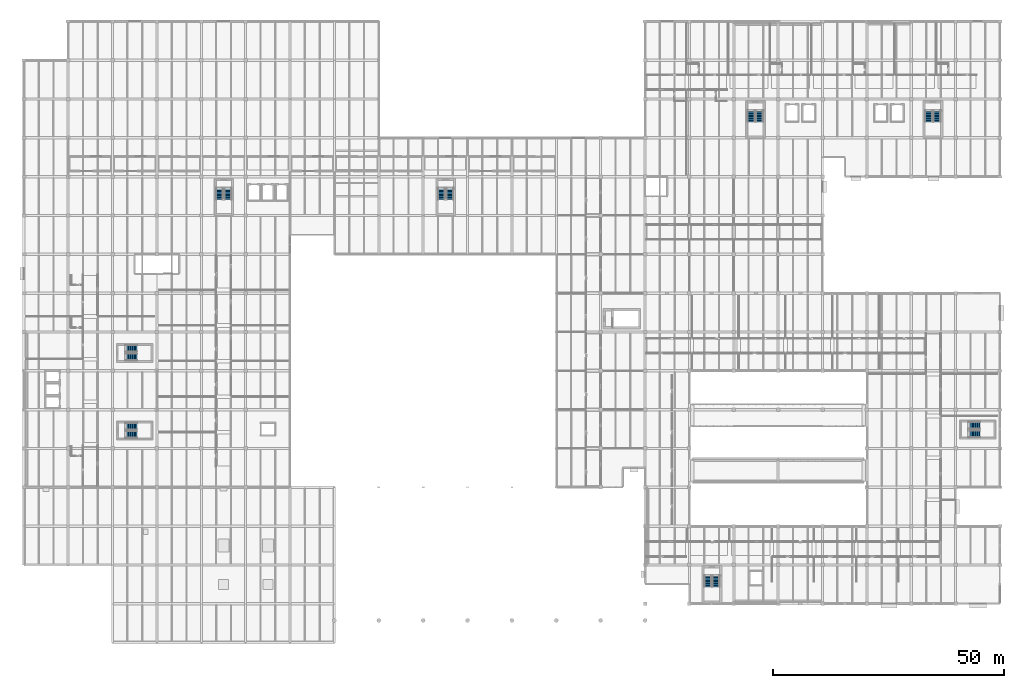
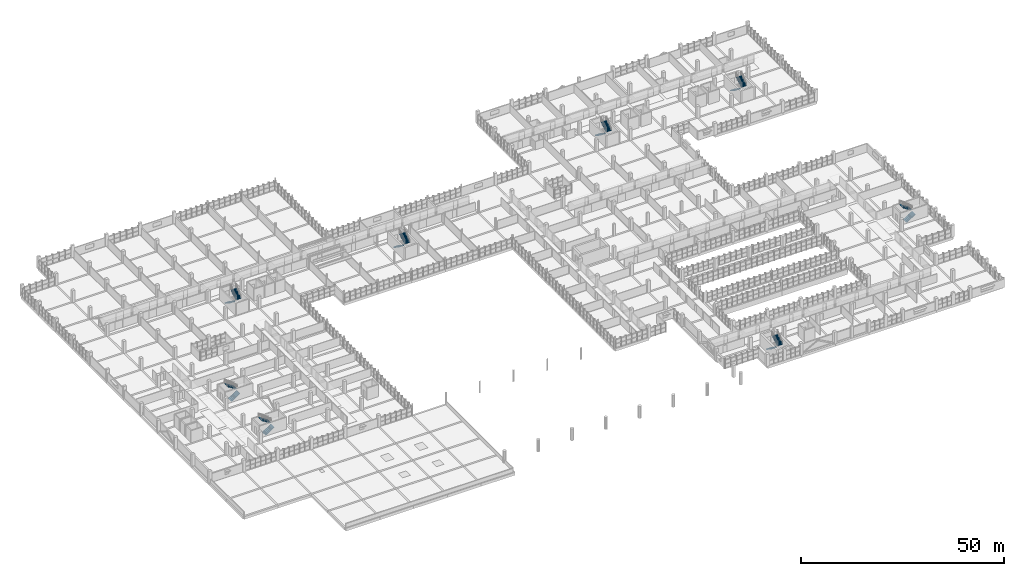
# One storey, part 134 of 147: 16 stair flights, 8 elements without a shape of their own.
"""IFC4 building model written with IfcOpenShell, lengths in metres."""

import ifcopenshell
import ifcopenshell.guid

model = None  # the IFC model being written
_history = None  # IfcOwnerHistory: only IFC2X3 demands one
_inside = {}  # id of a spatial element -> (the spatial element, [elements in it])
_under = {}  # id of a project, library or spatial element -> (it, [spatial elements below it])
_declared = {}  # id of a project -> (the project, [libraries it declares])
_typed = {}  # id of a type object -> (the type object, [elements of that type])
_made_of = {}  # id of a material, layer set ... -> (it, [elements and type objects made of it])


def new_model(schema):
    """Start an empty IFC model of exactly this schema.

    Asked for "IFC4X3", IfcOpenShell would pick the latest addendum, in which some entities
    have other attributes; the version numbers below select the first issue.
    IFC2X3 requires an IfcOwnerHistory on every rooted entity: one is made here for all.
    """
    global model, _history
    if schema == "IFC4X3":
        model = ifcopenshell.file(schema_version=(4, 3, 0, 0))
    else:
        model = ifcopenshell.file(schema=schema)
    _inside.clear()
    _under.clear()
    _declared.clear()
    _typed.clear()
    _made_of.clear()
    _history = None
    if model.schema == "IFC2X3":
        org = make("IfcOrganization", Name="unknown")
        user = make(
            "IfcPersonAndOrganization",
            ThePerson=make("IfcPerson", FamilyName="unknown"),
            TheOrganization=org,
        )
        app = make(
            "IfcApplication",
            ApplicationDeveloper=org,
            Version="unknown",
            ApplicationFullName="unknown",
            ApplicationIdentifier="unknown",
        )
        _history = make(
            "IfcOwnerHistory",
            OwningUser=user,
            OwningApplication=app,
            ChangeAction="ADDED",
            CreationDate=0,
        )
    return model


def make(cls, **values):
    """One entity of the class cls with the attributes given. An attribute that is None is left unset."""
    return model.create_entity(
        cls, **{name: value for name, value in values.items() if value is not None}
    )


def rooted(cls, **values):
    """An entity with a GlobalId (a new one), such as an element, a storey or a relation."""
    return make(cls, GlobalId=ifcopenshell.guid.new(), OwnerHistory=_history, **values)


def si_unit(unit_type, name, prefix=None):
    """IfcSIUnit, for example si_unit("LENGTHUNIT", "METRE", prefix="MILLI")."""
    return make("IfcSIUnit", UnitType=unit_type, Prefix=prefix, Name=name)


def assignment(units):
    """IfcUnitAssignment: the units of a project."""
    return None if units is None else make("IfcUnitAssignment", Units=units)


def point(xyz):
    """IfcCartesianPoint."""
    return None if xyz is None else make("IfcCartesianPoint", Coordinates=xyz)


def direction(xyz):
    """IfcDirection."""
    return None if xyz is None else make("IfcDirection", DirectionRatios=xyz)


def frame(location, z_axis=None, x_axis=None):
    """IfcAxis2Placement3D, a coordinate frame: its origin and axes. An axis left out is left unset."""
    return make(
        "IfcAxis2Placement3D",
        Location=point(location),
        Axis=direction(z_axis),
        RefDirection=direction(x_axis),
    )


def origin():
    """The frame at (0, 0, 0) with its axes left unset."""
    return frame((0.0, 0.0, 0.0))


def place(relative_to, where):
    """IfcLocalPlacement: puts the frame where relative to a parent placement (None: the world)."""
    return make(
        "IfcLocalPlacement", PlacementRelTo=relative_to, RelativePlacement=where
    )


def context(
    kind, dimensions, precision=None, world=None, true_north=None, identifier=None
):
    """IfcGeometricRepresentationContext, for example the 3D "Model" context."""
    return make(
        "IfcGeometricRepresentationContext",
        ContextIdentifier=identifier,
        ContextType=kind,
        CoordinateSpaceDimension=dimensions,
        Precision=precision,
        WorldCoordinateSystem=world,
        TrueNorth=true_north,
    )


def subcontext(parent, identifier, kind, view, scale=None):
    """IfcGeometricRepresentationSubContext, for example "Body" below "Model"."""
    return make(
        "IfcGeometricRepresentationSubContext",
        ContextIdentifier=identifier,
        ContextType=kind,
        ParentContext=parent,
        TargetScale=scale,
        TargetView=view,
    )


def project(units=None, contexts=None):
    """IfcProject with its units and contexts."""
    return rooted(
        "IfcProject",
        Name="project",
        RepresentationContexts=contexts,
        UnitsInContext=assignment(units),
    )


def spatial(cls, under=None, at=None, **own):
    """A site, building, storey or space (cls), placed at a placement, below another one or the project."""
    s = rooted(cls, ObjectPlacement=at, **own)
    if under is not None:
        _under.setdefault(under.id(), (under, []))[1].append(s)
    return s


def polyline(points):
    """IfcPolyline through the points."""
    return make("IfcPolyline", Points=[point(p) for p in points])


def outline(outer, holes=None, kind="AREA"):
    """IfcArbitraryClosedProfileDef: a profile drawn as a closed curve; with holes, ...WithVoids."""
    if holes is None:
        return make("IfcArbitraryClosedProfileDef", ProfileType=kind, OuterCurve=outer)
    return make(
        "IfcArbitraryProfileDefWithVoids",
        ProfileType=kind,
        OuterCurve=outer,
        InnerCurves=holes,
    )


def extrude(swept, where, along, depth):
    """IfcExtrudedAreaSolid: the profile swept, set in the frame where, extruded along a direction by depth."""
    return make(
        "IfcExtrudedAreaSolid",
        SweptArea=swept,
        Position=where,
        ExtrudedDirection=direction(along),
        Depth=depth,
    )


def shape(context_of_items, identifier, shape_type, items):
    """IfcShapeRepresentation: the items that make up one representation, for example the "Body"."""
    return make(
        "IfcShapeRepresentation",
        ContextOfItems=context_of_items,
        RepresentationIdentifier=identifier,
        RepresentationType=shape_type,
        Items=items,
    )


def material(Name=None, Category=None):
    """IfcMaterial."""
    return make("IfcMaterial", Name=Name, Category=Category)


def made_of(thing, what):
    """Note that an element or type object is made of a material, layer set ...; save() writes the relation."""
    if what is not None:
        _made_of.setdefault(what.id(), (what, []))[1].append(thing)
    return thing


def type_object(cls, material=None, **own):
    """A type object (cls), such as IfcWallType, which elements share."""
    return made_of(rooted(cls, **own), material)


def element(
    cls,
    number,
    at=None,
    inside=None,
    cuts=None,
    type_object=None,
    material=None,
    context=None,
    identifier="Body",
    shape_type=None,
    held_by="IfcProductDefinitionShape",
    body=None,
    shapes=None,
    **own,
):
    """One element of the class cls, such as IfcWall. Its Tag is "e" and its number.

    at: its placement. inside: the storey or other place that contains it. cuts: it is an
    opening in that element (IfcRelVoidsElement). A single representation is given by context,
    identifier, shape_type and body (its items); several are given by shapes. held_by: the class
    of the entity that holds the representations. save() writes the other relations.
    """
    e = rooted(cls, Tag="e%d" % number, ObjectPlacement=at, **own)
    if body is not None:
        shapes = [shape(context, identifier, shape_type, body)]
    if shapes is not None:
        e.Representation = make(held_by, Representations=shapes)
    if inside is not None:
        _inside.setdefault(inside.id(), (inside, []))[1].append(e)
    if cuts is not None:
        rooted(
            "IfcRelVoidsElement", RelatingBuildingElement=cuts, RelatedOpeningElement=e
        )
    if type_object is not None:
        _typed.setdefault(type_object.id(), (type_object, []))[1].append(e)
    return made_of(e, material)


def aggregate(whole, parts):
    """IfcRelAggregates: a whole, such as a stair, and the parts it consists of."""
    return rooted("IfcRelAggregates", RelatingObject=whole, RelatedObjects=parts)


def save(model, path):
    """Write the relations noted so far, then the file.

    IfcRelAggregates (storeys below a building ...), IfcRelContainedInSpatialStructure (elements
    in a storey), IfcRelDefinesByType, IfcRelAssociatesMaterial and IfcRelDeclares: one each for
    every whole, place, type object, material and project.
    """
    for whole, parts in _under.values():
        aggregate(whole, parts)
    for where, things in _inside.values():
        rooted(
            "IfcRelContainedInSpatialStructure",
            RelatedElements=things,
            RelatingStructure=where,
        )
    for kind, things in _typed.values():
        rooted("IfcRelDefinesByType", RelatedObjects=things, RelatingType=kind)
    for what, things in _made_of.values():
        rooted("IfcRelAssociatesMaterial", RelatedObjects=things, RelatingMaterial=what)
    for by, libraries in _declared.values():
        rooted("IfcRelDeclares", RelatingContext=by, RelatedDefinitions=libraries)
    model.write(path)


model = new_model("IFC4")

# Units and contexts
model_context = context("Model", 3, precision=1e-05, world=origin(), true_north=direction((0.0, 1.0)))
body_context = subcontext(model_context, "Body", "Model", "MODEL_VIEW")
ifc_project = project(units=[si_unit("LENGTHUNIT", "METRE"), si_unit("AREAUNIT", "SQUARE_METRE"), si_unit("VOLUMEUNIT", "CUBIC_METRE"), si_unit("PLANEANGLEUNIT", "RADIAN"), si_unit("MASSUNIT", "GRAM", prefix="KILO")], contexts=[model_context])

# Site, building, storey
site_placement = place(None, origin())
site = spatial("IfcSite", under=ifc_project, at=site_placement, CompositionType="ELEMENT")
building_placement = place(site_placement, origin())
building = spatial("IfcBuilding", under=site, at=building_placement, Name="Oolite Switchyard Hospital", CompositionType="ELEMENT")
storey_placement = place(building_placement, frame((0.0, 0.0, 9.89990234375)))
storey = spatial("IfcBuildingStorey", under=building, at=storey_placement, Name="L02", CompositionType="ELEMENT", Elevation=9.89990234375)

# Stair, stair flights
ifc_material = material(Name="Concrete C40/50", Category="concrete")
stair_type = type_object("IfcStairType", Name="STR-DL-156-R20", PredefinedType="HALF_TURN_STAIR", material=ifc_material)
stair_1_placement = place(storey_placement, origin())
stair_1 = element("IfcStair", 1, at=stair_1_placement, inside=storey, type_object=stair_type, Name="L02 Exit Stair ST-01", PredefinedType="HALF_TURN_STAIR")
stair_flight_type = type_object("IfcStairFlightType", Name="FLT-DL-156-R10", PredefinedType="STRAIGHT", material=ifc_material)
stair_flight_1_placement = place(storey_placement, frame((21.9599609375, 44.97998046875, 0.0), z_axis=(0.0, 0.0, 1.0), x_axis=(1.0, 0.0, 0.0)))
stair_flight_1 = element("IfcStairFlight", 2, at=stair_flight_1_placement, type_object=stair_flight_type, Name="ST-01 flight 1", NumberOfRisers=10, NumberOfTreads=9, PredefinedType="STRAIGHT", RiserHeight=0.18, TreadLength=0.28, context=body_context, shape_type="SweptSolid", body=[
    extrude(outline(polyline([(0.0, 0.0), (0.0, 0.179931640625), (0.280029296875, 0.179931640625), (0.280029296875, 0.360107421875), (0.56005859375, 0.360107421875), (0.56005859375, 0.5400390625), (0.840087890625, 0.5400390625), (0.840087890625, 0.719970703125), (1.1201171875, 0.719970703125), (1.1201171875, 0.89990234375), (1.39990234375, 0.89990234375), (1.39990234375, 1.080078125), (1.679931640625, 1.080078125), (1.679931640625, 1.260009765625), (1.9599609375, 1.260009765625), (1.9599609375, 1.43994140625), (2.239990234375, 1.43994140625), (2.239990234375, 1.6201171875), (2.52001953125, 1.6201171875), (2.52001953125, 1.800048828125), (2.52001953125, 1.44189453125), (0.277099609375, 0.0), (0.0, 0.0)])), frame((0.0, 0.780029296875, 0.0), z_axis=(0.0, -1.0, 0.0), x_axis=(1.0, 0.0, 0.0)), (0.0, 0.0, 1.0), 1.56005859375),
])
stair_flight_2_placement = place(storey_placement, frame((24.47998046875, 46.780029296875, 1.800048828125), z_axis=(0.0, 0.0, 1.0), x_axis=(-1.0, 0.0, 0.0)))
stair_flight_2 = element("IfcStairFlight", 3, at=stair_flight_2_placement, type_object=stair_flight_type, Name="ST-01 flight 2", NumberOfRisers=10, NumberOfTreads=9, PredefinedType="STRAIGHT", RiserHeight=0.18, TreadLength=0.28, context=body_context, shape_type="SweptSolid", body=[
    extrude(outline(polyline([(0.0, 0.0), (0.0, 0.179931640625), (0.280029296875, 0.179931640625), (0.280029296875, 0.360107421875), (0.56005859375, 0.360107421875), (0.56005859375, 0.5400390625), (0.840087890625, 0.5400390625), (0.840087890625, 0.719970703125), (1.1201171875, 0.719970703125), (1.1201171875, 0.89990234375), (1.39990234375, 0.89990234375), (1.39990234375, 1.080078125), (1.679931640625, 1.080078125), (1.679931640625, 1.260009765625), (1.9599609375, 1.260009765625), (1.9599609375, 1.43994140625), (2.239990234375, 1.43994140625), (2.239990234375, 1.6201171875), (2.52001953125, 1.6201171875), (2.52001953125, 1.800048828125), (2.52001953125, 1.44189453125), (0.277099609375, 0.0), (0.0, 0.0)])), frame((0.0, 0.780029296875, 0.0), z_axis=(0.0, -1.0, 0.0), x_axis=(1.0, 0.0, 0.0)), (0.0, 0.0, 1.0), 1.56005859375),
])
aggregate(stair_1, [stair_flight_1, stair_flight_2])

stair_2_placement = place(storey_placement, origin())
stair_2 = element("IfcStair", 4, at=stair_2_placement, inside=storey, type_object=stair_type, Name="L02 Exit Stair ST-02", PredefinedType="HALF_TURN_STAIR")
stair_flight_3_placement = place(storey_placement, frame((21.9599609375, 61.780029296875, 0.0), z_axis=(0.0, 0.0, 1.0), x_axis=(1.0, 0.0, 0.0)))
stair_flight_3 = element("IfcStairFlight", 5, at=stair_flight_3_placement, type_object=stair_flight_type, Name="ST-02 flight 1", NumberOfRisers=10, NumberOfTreads=9, PredefinedType="STRAIGHT", RiserHeight=0.18, TreadLength=0.28, context=body_context, shape_type="SweptSolid", body=[
    extrude(outline(polyline([(0.0, 0.0), (0.0, 0.179931640625), (0.280029296875, 0.179931640625), (0.280029296875, 0.360107421875), (0.56005859375, 0.360107421875), (0.56005859375, 0.5400390625), (0.840087890625, 0.5400390625), (0.840087890625, 0.719970703125), (1.1201171875, 0.719970703125), (1.1201171875, 0.89990234375), (1.39990234375, 0.89990234375), (1.39990234375, 1.080078125), (1.679931640625, 1.080078125), (1.679931640625, 1.260009765625), (1.9599609375, 1.260009765625), (1.9599609375, 1.43994140625), (2.239990234375, 1.43994140625), (2.239990234375, 1.6201171875), (2.52001953125, 1.6201171875), (2.52001953125, 1.800048828125), (2.52001953125, 1.44189453125), (0.277099609375, 0.0), (0.0, 0.0)])), frame((0.0, 0.780029296875, 0.0), z_axis=(0.0, -1.0, 0.0), x_axis=(1.0, 0.0, 0.0)), (0.0, 0.0, 1.0), 1.56005859375),
])
stair_flight_4_placement = place(storey_placement, frame((24.47998046875, 63.580078125, 1.800048828125), z_axis=(0.0, 0.0, 1.0), x_axis=(-1.0, 0.0, 0.0)))
stair_flight_4 = element("IfcStairFlight", 6, at=stair_flight_4_placement, type_object=stair_flight_type, Name="ST-02 flight 2", NumberOfRisers=10, NumberOfTreads=9, PredefinedType="STRAIGHT", RiserHeight=0.18, TreadLength=0.28, context=body_context, shape_type="SweptSolid", body=[
    extrude(outline(polyline([(0.0, 0.0), (0.0, 0.179931640625), (0.280029296875, 0.179931640625), (0.280029296875, 0.360107421875), (0.56005859375, 0.360107421875), (0.56005859375, 0.5400390625), (0.840087890625, 0.5400390625), (0.840087890625, 0.719970703125), (1.1201171875, 0.719970703125), (1.1201171875, 0.89990234375), (1.39990234375, 0.89990234375), (1.39990234375, 1.080078125), (1.679931640625, 1.080078125), (1.679931640625, 1.260009765625), (1.9599609375, 1.260009765625), (1.9599609375, 1.43994140625), (2.239990234375, 1.43994140625), (2.239990234375, 1.6201171875), (2.52001953125, 1.6201171875), (2.52001953125, 1.800048828125), (2.52001953125, 1.44189453125), (0.277099609375, 0.0), (0.0, 0.0)])), frame((0.0, 0.780029296875, 0.0), z_axis=(0.0, -1.0, 0.0), x_axis=(1.0, 0.0, 0.0)), (0.0, 0.0, 1.0), 1.56005859375),
])
aggregate(stair_2, [stair_flight_3, stair_flight_4])

stair_3_placement = place(storey_placement, origin())
stair_3 = element("IfcStair", 7, at=stair_3_placement, inside=storey, type_object=stair_type, Name="L02 Exit Stair ST-03", PredefinedType="HALF_TURN_STAIR")
stair_flight_5_placement = place(storey_placement, frame((157.3798828125, 115.18994140625, 0.0), z_axis=(0.0, 0.0, 1.0), x_axis=(0.0, -1.0, 0.0)))
stair_flight_5 = element("IfcStairFlight", 8, at=stair_flight_5_placement, type_object=stair_flight_type, Name="ST-03 flight 1", NumberOfRisers=10, NumberOfTreads=9, PredefinedType="STRAIGHT", RiserHeight=0.18, TreadLength=0.28, context=body_context, shape_type="SweptSolid", body=[
    extrude(outline(polyline([(0.0, 0.0), (0.0, 0.179931640625), (0.280029296875, 0.179931640625), (0.280029296875, 0.360107421875), (0.56005859375, 0.360107421875), (0.56005859375, 0.5400390625), (0.840087890625, 0.5400390625), (0.840087890625, 0.719970703125), (1.1201171875, 0.719970703125), (1.1201171875, 0.89990234375), (1.39990234375, 0.89990234375), (1.39990234375, 1.080078125), (1.679931640625, 1.080078125), (1.679931640625, 1.260009765625), (1.9599609375, 1.260009765625), (1.9599609375, 1.43994140625), (2.239990234375, 1.43994140625), (2.239990234375, 1.6201171875), (2.52001953125, 1.6201171875), (2.52001953125, 1.800048828125), (2.52001953125, 1.44189453125), (0.277099609375, 0.0), (0.0, 0.0)])), frame((0.0, 0.780029296875, 0.0), z_axis=(0.0, -1.0, 0.0), x_axis=(1.0, 0.0, 0.0)), (0.0, 0.0, 1.0), 1.56005859375),
])
stair_flight_6_placement = place(storey_placement, frame((159.179931640625, 112.669921875, 1.800048828125), z_axis=(0.0, 0.0, 1.0), x_axis=(0.0, 1.0, 0.0)))
stair_flight_6 = element("IfcStairFlight", 9, at=stair_flight_6_placement, type_object=stair_flight_type, Name="ST-03 flight 2", NumberOfRisers=10, NumberOfTreads=9, PredefinedType="STRAIGHT", RiserHeight=0.18, TreadLength=0.28, context=body_context, shape_type="SweptSolid", body=[
    extrude(outline(polyline([(0.0, 0.0), (0.0, 0.179931640625), (0.280029296875, 0.179931640625), (0.280029296875, 0.360107421875), (0.56005859375, 0.360107421875), (0.56005859375, 0.5400390625), (0.840087890625, 0.5400390625), (0.840087890625, 0.719970703125), (1.1201171875, 0.719970703125), (1.1201171875, 0.89990234375), (1.39990234375, 0.89990234375), (1.39990234375, 1.080078125), (1.679931640625, 1.080078125), (1.679931640625, 1.260009765625), (1.9599609375, 1.260009765625), (1.9599609375, 1.43994140625), (2.239990234375, 1.43994140625), (2.239990234375, 1.6201171875), (2.52001953125, 1.6201171875), (2.52001953125, 1.800048828125), (2.52001953125, 1.44189453125), (0.277099609375, 0.0), (0.0, 0.0)])), frame((0.0, 0.780029296875, 0.0), z_axis=(0.0, -1.0, 0.0), x_axis=(1.0, 0.0, 0.0)), (0.0, 0.0, 1.0), 1.56005859375),
])
aggregate(stair_3, [stair_flight_5, stair_flight_6])

stair_4_placement = place(storey_placement, origin())
stair_4 = element("IfcStair", 10, at=stair_4_placement, inside=storey, type_object=stair_type, Name="L02 Exit Stair ST-04", PredefinedType="HALF_TURN_STAIR")
stair_flight_7_placement = place(storey_placement, frame((195.780029296875, 115.18994140625, 0.0), z_axis=(0.0, 0.0, 1.0), x_axis=(0.0, -1.0, 0.0)))
stair_flight_7 = element("IfcStairFlight", 11, at=stair_flight_7_placement, type_object=stair_flight_type, Name="ST-04 flight 1", NumberOfRisers=10, NumberOfTreads=9, PredefinedType="STRAIGHT", RiserHeight=0.18, TreadLength=0.28, context=body_context, shape_type="SweptSolid", body=[
    extrude(outline(polyline([(0.0, 0.0), (0.0, 0.179931640625), (0.280029296875, 0.179931640625), (0.280029296875, 0.360107421875), (0.56005859375, 0.360107421875), (0.56005859375, 0.5400390625), (0.840087890625, 0.5400390625), (0.840087890625, 0.719970703125), (1.1201171875, 0.719970703125), (1.1201171875, 0.89990234375), (1.39990234375, 0.89990234375), (1.39990234375, 1.080078125), (1.679931640625, 1.080078125), (1.679931640625, 1.260009765625), (1.9599609375, 1.260009765625), (1.9599609375, 1.43994140625), (2.239990234375, 1.43994140625), (2.239990234375, 1.6201171875), (2.52001953125, 1.6201171875), (2.52001953125, 1.800048828125), (2.52001953125, 1.44189453125), (0.277099609375, 0.0), (0.0, 0.0)])), frame((0.0, 0.780029296875, 0.0), z_axis=(0.0, -1.0, 0.0), x_axis=(1.0, 0.0, 0.0)), (0.0, 0.0, 1.0), 1.56005859375),
])
stair_flight_8_placement = place(storey_placement, frame((197.580078125, 112.669921875, 1.800048828125), z_axis=(0.0, 0.0, 1.0), x_axis=(0.0, 1.0, 0.0)))
stair_flight_8 = element("IfcStairFlight", 12, at=stair_flight_8_placement, type_object=stair_flight_type, Name="ST-04 flight 2", NumberOfRisers=10, NumberOfTreads=9, PredefinedType="STRAIGHT", RiserHeight=0.18, TreadLength=0.28, context=body_context, shape_type="SweptSolid", body=[
    extrude(outline(polyline([(0.0, 0.0), (0.0, 0.179931640625), (0.280029296875, 0.179931640625), (0.280029296875, 0.360107421875), (0.56005859375, 0.360107421875), (0.56005859375, 0.5400390625), (0.840087890625, 0.5400390625), (0.840087890625, 0.719970703125), (1.1201171875, 0.719970703125), (1.1201171875, 0.89990234375), (1.39990234375, 0.89990234375), (1.39990234375, 1.080078125), (1.679931640625, 1.080078125), (1.679931640625, 1.260009765625), (1.9599609375, 1.260009765625), (1.9599609375, 1.43994140625), (2.239990234375, 1.43994140625), (2.239990234375, 1.6201171875), (2.52001953125, 1.6201171875), (2.52001953125, 1.800048828125), (2.52001953125, 1.44189453125), (0.277099609375, 0.0), (0.0, 0.0)])), frame((0.0, 0.780029296875, 0.0), z_axis=(0.0, -1.0, 0.0), x_axis=(1.0, 0.0, 0.0)), (0.0, 0.0, 1.0), 1.56005859375),
])
aggregate(stair_4, [stair_flight_7, stair_flight_8])

stair_5_placement = place(storey_placement, origin())
stair_5 = element("IfcStair", 13, at=stair_5_placement, inside=storey, type_object=stair_type, Name="L02 Exit Stair ST-05", PredefinedType="HALF_TURN_STAIR")
stair_flight_9_placement = place(storey_placement, frame((147.97998046875, 14.590087890625, 0.0), z_axis=(0.0, 0.0, 1.0), x_axis=(0.0, -1.0, 0.0)))
stair_flight_9 = element("IfcStairFlight", 14, at=stair_flight_9_placement, type_object=stair_flight_type, Name="ST-05 flight 1", NumberOfRisers=10, NumberOfTreads=9, PredefinedType="STRAIGHT", RiserHeight=0.18, TreadLength=0.28, context=body_context, shape_type="SweptSolid", body=[
    extrude(outline(polyline([(0.0, 0.0), (0.0, 0.179931640625), (0.280029296875, 0.179931640625), (0.280029296875, 0.360107421875), (0.56005859375, 0.360107421875), (0.56005859375, 0.5400390625), (0.840087890625, 0.5400390625), (0.840087890625, 0.719970703125), (1.1201171875, 0.719970703125), (1.1201171875, 0.89990234375), (1.39990234375, 0.89990234375), (1.39990234375, 1.080078125), (1.679931640625, 1.080078125), (1.679931640625, 1.260009765625), (1.9599609375, 1.260009765625), (1.9599609375, 1.43994140625), (2.239990234375, 1.43994140625), (2.239990234375, 1.6201171875), (2.52001953125, 1.6201171875), (2.52001953125, 1.800048828125), (2.52001953125, 1.44189453125), (0.277099609375, 0.0), (0.0, 0.0)])), frame((0.0, 0.780029296875, 0.0), z_axis=(0.0, -1.0, 0.0), x_axis=(1.0, 0.0, 0.0)), (0.0, 0.0, 1.0), 1.56005859375),
])
stair_flight_10_placement = place(storey_placement, frame((149.780029296875, 12.070068359375, 1.800048828125), z_axis=(0.0, 0.0, 1.0), x_axis=(0.0, 1.0, 0.0)))
stair_flight_10 = element("IfcStairFlight", 15, at=stair_flight_10_placement, type_object=stair_flight_type, Name="ST-05 flight 2", NumberOfRisers=10, NumberOfTreads=9, PredefinedType="STRAIGHT", RiserHeight=0.18, TreadLength=0.28, context=body_context, shape_type="SweptSolid", body=[
    extrude(outline(polyline([(0.0, 0.0), (0.0, 0.179931640625), (0.280029296875, 0.179931640625), (0.280029296875, 0.360107421875), (0.56005859375, 0.360107421875), (0.56005859375, 0.5400390625), (0.840087890625, 0.5400390625), (0.840087890625, 0.719970703125), (1.1201171875, 0.719970703125), (1.1201171875, 0.89990234375), (1.39990234375, 0.89990234375), (1.39990234375, 1.080078125), (1.679931640625, 1.080078125), (1.679931640625, 1.260009765625), (1.9599609375, 1.260009765625), (1.9599609375, 1.43994140625), (2.239990234375, 1.43994140625), (2.239990234375, 1.6201171875), (2.52001953125, 1.6201171875), (2.52001953125, 1.800048828125), (2.52001953125, 1.44189453125), (0.277099609375, 0.0), (0.0, 0.0)])), frame((0.0, 0.780029296875, 0.0), z_axis=(0.0, -1.0, 0.0), x_axis=(1.0, 0.0, 0.0)), (0.0, 0.0, 1.0), 1.56005859375),
])
aggregate(stair_5, [stair_flight_9, stair_flight_10])

stair_6_placement = place(storey_placement, origin())
stair_6 = element("IfcStair", 16, at=stair_6_placement, inside=storey, type_object=stair_type, Name="L02 Exit Stair ST-06", PredefinedType="HALF_TURN_STAIR")
stair_flight_11_placement = place(storey_placement, frame((204.360107421875, 45.179931640625, 0.0), z_axis=(0.0, 0.0, 1.0), x_axis=(1.0, 0.0, 0.0)))
stair_flight_11 = element("IfcStairFlight", 17, at=stair_flight_11_placement, type_object=stair_flight_type, Name="ST-06 flight 1", NumberOfRisers=10, NumberOfTreads=9, PredefinedType="STRAIGHT", RiserHeight=0.18, TreadLength=0.28, context=body_context, shape_type="SweptSolid", body=[
    extrude(outline(polyline([(0.0, 0.0), (0.0, 0.179931640625), (0.280029296875, 0.179931640625), (0.280029296875, 0.360107421875), (0.56005859375, 0.360107421875), (0.56005859375, 0.5400390625), (0.840087890625, 0.5400390625), (0.840087890625, 0.719970703125), (1.1201171875, 0.719970703125), (1.1201171875, 0.89990234375), (1.39990234375, 0.89990234375), (1.39990234375, 1.080078125), (1.679931640625, 1.080078125), (1.679931640625, 1.260009765625), (1.9599609375, 1.260009765625), (1.9599609375, 1.43994140625), (2.239990234375, 1.43994140625), (2.239990234375, 1.6201171875), (2.52001953125, 1.6201171875), (2.52001953125, 1.800048828125), (2.52001953125, 1.44189453125), (0.277099609375, 0.0), (0.0, 0.0)])), frame((0.0, 0.780029296875, 0.0), z_axis=(0.0, -1.0, 0.0), x_axis=(1.0, 0.0, 0.0)), (0.0, 0.0, 1.0), 1.56005859375),
])
stair_flight_12_placement = place(storey_placement, frame((206.8798828125, 46.97998046875, 1.800048828125), z_axis=(0.0, 0.0, 1.0), x_axis=(-1.0, 0.0, 0.0)))
stair_flight_12 = element("IfcStairFlight", 18, at=stair_flight_12_placement, type_object=stair_flight_type, Name="ST-06 flight 2", NumberOfRisers=10, NumberOfTreads=9, PredefinedType="STRAIGHT", RiserHeight=0.18, TreadLength=0.28, context=body_context, shape_type="SweptSolid", body=[
    extrude(outline(polyline([(0.0, 0.0), (0.0, 0.179931640625), (0.280029296875, 0.179931640625), (0.280029296875, 0.360107421875), (0.56005859375, 0.360107421875), (0.56005859375, 0.5400390625), (0.840087890625, 0.5400390625), (0.840087890625, 0.719970703125), (1.1201171875, 0.719970703125), (1.1201171875, 0.89990234375), (1.39990234375, 0.89990234375), (1.39990234375, 1.080078125), (1.679931640625, 1.080078125), (1.679931640625, 1.260009765625), (1.9599609375, 1.260009765625), (1.9599609375, 1.43994140625), (2.239990234375, 1.43994140625), (2.239990234375, 1.6201171875), (2.52001953125, 1.6201171875), (2.52001953125, 1.800048828125), (2.52001953125, 1.44189453125), (0.277099609375, 0.0), (0.0, 0.0)])), frame((0.0, 0.780029296875, 0.0), z_axis=(0.0, -1.0, 0.0), x_axis=(1.0, 0.0, 0.0)), (0.0, 0.0, 1.0), 1.56005859375),
])
aggregate(stair_6, [stair_flight_11, stair_flight_12])

stair_7_placement = place(storey_placement, origin())
stair_7 = element("IfcStair", 19, at=stair_7_placement, inside=storey, type_object=stair_type, Name="L02 Exit Stair ST-07", PredefinedType="HALF_TURN_STAIR")
stair_flight_13_placement = place(storey_placement, frame((42.3798828125, 98.389892578125, 0.0), z_axis=(0.0, 0.0, 1.0), x_axis=(0.0, -1.0, 0.0)))
stair_flight_13 = element("IfcStairFlight", 20, at=stair_flight_13_placement, type_object=stair_flight_type, Name="ST-07 flight 1", NumberOfRisers=10, NumberOfTreads=9, PredefinedType="STRAIGHT", RiserHeight=0.18, TreadLength=0.28, context=body_context, shape_type="SweptSolid", body=[
    extrude(outline(polyline([(0.0, 0.0), (0.0, 0.179931640625), (0.280029296875, 0.179931640625), (0.280029296875, 0.360107421875), (0.56005859375, 0.360107421875), (0.56005859375, 0.5400390625), (0.840087890625, 0.5400390625), (0.840087890625, 0.719970703125), (1.1201171875, 0.719970703125), (1.1201171875, 0.89990234375), (1.39990234375, 0.89990234375), (1.39990234375, 1.080078125), (1.679931640625, 1.080078125), (1.679931640625, 1.260009765625), (1.9599609375, 1.260009765625), (1.9599609375, 1.43994140625), (2.239990234375, 1.43994140625), (2.239990234375, 1.6201171875), (2.52001953125, 1.6201171875), (2.52001953125, 1.800048828125), (2.52001953125, 1.44189453125), (0.277099609375, 0.0), (0.0, 0.0)])), frame((0.0, 0.780029296875, 0.0), z_axis=(0.0, -1.0, 0.0), x_axis=(1.0, 0.0, 0.0)), (0.0, 0.0, 1.0), 1.56005859375),
])
stair_flight_14_placement = place(storey_placement, frame((44.179931640625, 95.8701171875, 1.800048828125), z_axis=(0.0, 0.0, 1.0), x_axis=(0.0, 1.0, 0.0)))
stair_flight_14 = element("IfcStairFlight", 21, at=stair_flight_14_placement, type_object=stair_flight_type, Name="ST-07 flight 2", NumberOfRisers=10, NumberOfTreads=9, PredefinedType="STRAIGHT", RiserHeight=0.18, TreadLength=0.28, context=body_context, shape_type="SweptSolid", body=[
    extrude(outline(polyline([(0.0, 0.0), (0.0, 0.179931640625), (0.280029296875, 0.179931640625), (0.280029296875, 0.360107421875), (0.56005859375, 0.360107421875), (0.56005859375, 0.5400390625), (0.840087890625, 0.5400390625), (0.840087890625, 0.719970703125), (1.1201171875, 0.719970703125), (1.1201171875, 0.89990234375), (1.39990234375, 0.89990234375), (1.39990234375, 1.080078125), (1.679931640625, 1.080078125), (1.679931640625, 1.260009765625), (1.9599609375, 1.260009765625), (1.9599609375, 1.43994140625), (2.239990234375, 1.43994140625), (2.239990234375, 1.6201171875), (2.52001953125, 1.6201171875), (2.52001953125, 1.800048828125), (2.52001953125, 1.44189453125), (0.277099609375, 0.0), (0.0, 0.0)])), frame((0.0, 0.780029296875, 0.0), z_axis=(0.0, -1.0, 0.0), x_axis=(1.0, 0.0, 0.0)), (0.0, 0.0, 1.0), 1.56005859375),
])
aggregate(stair_7, [stair_flight_13, stair_flight_14])

stair_8_placement = place(storey_placement, origin())
stair_8 = element("IfcStair", 22, at=stair_8_placement, inside=storey, type_object=stair_type, Name="L02 Exit Stair ST-09", PredefinedType="HALF_TURN_STAIR")
stair_flight_15_placement = place(storey_placement, frame((90.3798828125, 98.389892578125, 0.0), z_axis=(0.0, 0.0, 1.0), x_axis=(0.0, -1.0, 0.0)))
stair_flight_15 = element("IfcStairFlight", 23, at=stair_flight_15_placement, type_object=stair_flight_type, Name="ST-09 flight 1", NumberOfRisers=10, NumberOfTreads=9, PredefinedType="STRAIGHT", RiserHeight=0.18, TreadLength=0.28, context=body_context, shape_type="SweptSolid", body=[
    extrude(outline(polyline([(0.0, 0.0), (0.0, 0.179931640625), (0.280029296875, 0.179931640625), (0.280029296875, 0.360107421875), (0.56005859375, 0.360107421875), (0.56005859375, 0.5400390625), (0.840087890625, 0.5400390625), (0.840087890625, 0.719970703125), (1.1201171875, 0.719970703125), (1.1201171875, 0.89990234375), (1.39990234375, 0.89990234375), (1.39990234375, 1.080078125), (1.679931640625, 1.080078125), (1.679931640625, 1.260009765625), (1.9599609375, 1.260009765625), (1.9599609375, 1.43994140625), (2.239990234375, 1.43994140625), (2.239990234375, 1.6201171875), (2.52001953125, 1.6201171875), (2.52001953125, 1.800048828125), (2.52001953125, 1.44189453125), (0.277099609375, 0.0), (0.0, 0.0)])), frame((0.0, 0.780029296875, 0.0), z_axis=(0.0, -1.0, 0.0), x_axis=(1.0, 0.0, 0.0)), (0.0, 0.0, 1.0), 1.56005859375),
])
stair_flight_16_placement = place(storey_placement, frame((92.179931640625, 95.8701171875, 1.800048828125), z_axis=(0.0, 0.0, 1.0), x_axis=(0.0, 1.0, 0.0)))
stair_flight_16 = element("IfcStairFlight", 24, at=stair_flight_16_placement, type_object=stair_flight_type, Name="ST-09 flight 2", NumberOfRisers=10, NumberOfTreads=9, PredefinedType="STRAIGHT", RiserHeight=0.18, TreadLength=0.28, context=body_context, shape_type="SweptSolid", body=[
    extrude(outline(polyline([(0.0, 0.0), (0.0, 0.179931640625), (0.280029296875, 0.179931640625), (0.280029296875, 0.360107421875), (0.56005859375, 0.360107421875), (0.56005859375, 0.5400390625), (0.840087890625, 0.5400390625), (0.840087890625, 0.719970703125), (1.1201171875, 0.719970703125), (1.1201171875, 0.89990234375), (1.39990234375, 0.89990234375), (1.39990234375, 1.080078125), (1.679931640625, 1.080078125), (1.679931640625, 1.260009765625), (1.9599609375, 1.260009765625), (1.9599609375, 1.43994140625), (2.239990234375, 1.43994140625), (2.239990234375, 1.6201171875), (2.52001953125, 1.6201171875), (2.52001953125, 1.800048828125), (2.52001953125, 1.44189453125), (0.277099609375, 0.0), (0.0, 0.0)])), frame((0.0, 0.780029296875, 0.0), z_axis=(0.0, -1.0, 0.0), x_axis=(1.0, 0.0, 0.0)), (0.0, 0.0, 1.0), 1.56005859375),
])
aggregate(stair_8, [stair_flight_15, stair_flight_16])

save(model, "model.ifc")
